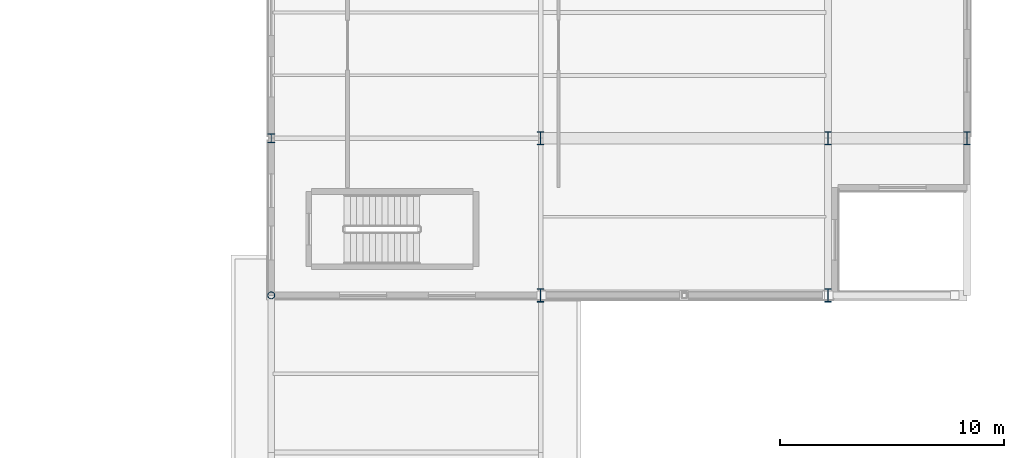
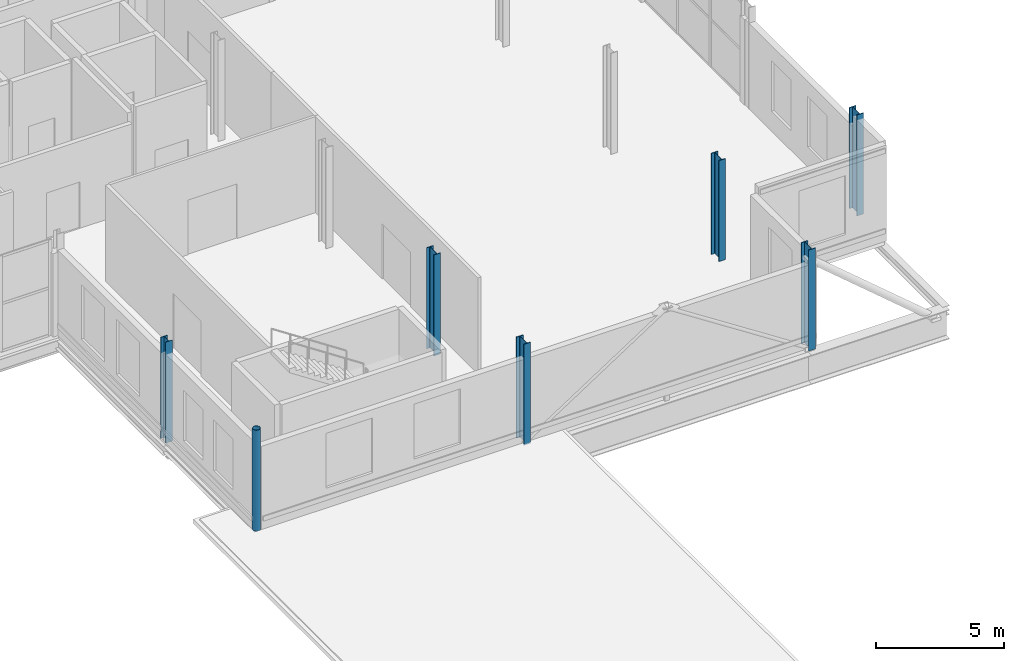
# One storey, part 11 of 120: 7 columns.
"""IFC4 building model written with IfcOpenShell, lengths in metres."""

from ifc_helpers import new_model, si_unit, direction, frame, origin, origin_2d, place, context, subcontext, project, spatial, hollow_circle, i_section, extrude, material, material_profile, profile_set, type_object, element, save


model = new_model("IFC4")

# Units and contexts
model_context = context("Model", 3, precision=1e-05, world=origin(), true_north=direction((0.0, 1.0)))
body_context = subcontext(model_context, "Body", "Model", "MODEL_VIEW")
ifc_project = project(units=[si_unit("LENGTHUNIT", "METRE"), si_unit("AREAUNIT", "SQUARE_METRE"), si_unit("VOLUMEUNIT", "CUBIC_METRE"), si_unit("PLANEANGLEUNIT", "RADIAN"), si_unit("MASSUNIT", "GRAM", prefix="KILO")], contexts=[model_context])

# Site, building, storey
site_placement = place(None, origin())
site = spatial("IfcSite", under=ifc_project, at=site_placement, CompositionType="ELEMENT")
building_placement = place(site_placement, origin())
building = spatial("IfcBuilding", under=site, at=building_placement, Name="Vekula Escarpment Museum", CompositionType="ELEMENT")
storey_placement = place(building_placement, frame((0.0, 0.0, 13.199951171875)))
storey = spatial("IfcBuildingStorey", under=building, at=storey_placement, Name="L03", CompositionType="ELEMENT", Elevation=13.199951171875)

# Columns
ifc_material_1 = material(Name="Steel S355", Category="steel")
ifc_material_profile_1 = material_profile(ifc_material_1, hollow_circle(Radius=0.161865234375, WallThickness=0.01611328125, at=origin_2d()), Name="CHS 323.9x16")
ifc_profile_set_1 = profile_set([ifc_material_profile_1], Name="Steel S355")
column_type_1 = type_object("IfcColumnType", Name="COL-S-CHS323", PredefinedType="COLUMN", material=ifc_profile_set_1)
column_1_placement = place(storey_placement, frame((167.0, 52.60009765625, 0.0), z_axis=(0.0, 0.0, 1.0), x_axis=(1.0, 0.0, 0.0)))
element("IfcColumn", 1, at=column_1_placement, inside=storey, type_object=column_type_1, Name="Column L03 (167.0,52.6)", PredefinedType="COLUMN", context=body_context, shape_type="SweptSolid", body=[
    extrude(hollow_circle(Radius=0.161865234375, WallThickness=0.01611328125, at=origin_2d()), origin(), (0.0, 0.0, 1.0), 4.800048828125),
])
ifc_material_2 = material(Name="Steel S355", Category="steel")
ifc_material_profile_2 = material_profile(ifc_material_2, i_section(OverallWidth=0.300048828125, OverallDepth=0.39990234375, WebThickness=0.013427734375, FlangeThickness=0.02392578125, FilletRadius=0.027099609375, at=origin_2d()), Name="HEB 400")
ifc_profile_set_2 = profile_set([ifc_material_profile_2], Name="Steel S355")
column_type_2 = type_object("IfcColumnType", Name="COL-S-HEB400", PredefinedType="COLUMN", material=ifc_profile_set_2)
column_2_placement = place(storey_placement, frame((167.0, 59.60009765625, 0.0), z_axis=(0.0, 0.0, 1.0), x_axis=(1.0, 0.0, 0.0)))
element("IfcColumn", 2, at=column_2_placement, inside=storey, type_object=column_type_2, Name="Column L03 (167.0,59.6)", PredefinedType="COLUMN", context=body_context, shape_type="SweptSolid", body=[
    extrude(i_section(OverallWidth=0.300048828125, OverallDepth=0.39990234375, WebThickness=0.013427734375, FlangeThickness=0.02392578125, FilletRadius=0.027099609375, at=origin_2d()), origin(), (0.0, 0.0, 1.0), 4.800048828125),
])
ifc_material_3 = material(Name="Steel S355", Category="steel")
ifc_material_profile_3 = material_profile(ifc_material_3, i_section(OverallWidth=0.300048828125, OverallDepth=0.60009765625, WebThickness=0.015380859375, FlangeThickness=0.030029296875, FilletRadius=0.027099609375, at=origin_2d()), Name="HEB 600")
ifc_profile_set_3 = profile_set([ifc_material_profile_3], Name="Steel S355")
column_type_3 = type_object("IfcColumnType", Name="COL-S-HEB600", PredefinedType="COLUMN", material=ifc_profile_set_3)
for number, where, z_axis, x_axis, name in (
    (3, (179.0, 52.60009765625, 0.0), (0.0, 0.0, 1.0), (1.0, 0.0, 0.0), "Column L03 (179.0,52.6)"),
    (4, (179.0, 59.60009765625, 0.0), (0.0, 0.0, 1.0), (1.0, 0.0, 0.0), "Column L03 (179.0,59.6)"),
    (5, (191.800048828125, 52.60009765625, 0.0), (0.0, 0.0, 1.0), (1.0, 0.0, 0.0), "Column L03 (191.8,52.6)"),
    (6, (191.800048828125, 59.60009765625, 0.0), (0.0, 0.0, 1.0), (1.0, 0.0, 0.0), "Column L03 (191.8,59.6)"),
    (7, (198.0, 59.60009765625, 0.0), (0.0, 0.0, 1.0), (1.0, 0.0, 0.0), "Column L03 (198.0,59.6)"),
):
    element("IfcColumn", number, at=place(storey_placement, frame(where, z_axis=z_axis, x_axis=x_axis)), inside=storey, type_object=column_type_3, Name=name, PredefinedType="COLUMN", context=body_context, shape_type="SweptSolid", body=[
        extrude(i_section(OverallWidth=0.300048828125, OverallDepth=0.60009765625, WebThickness=0.015380859375, FlangeThickness=0.030029296875, FilletRadius=0.027099609375, at=origin_2d()), origin(), (0.0, 0.0, 1.0), 4.800048828125),
    ])

save(model, "model.ifc")
